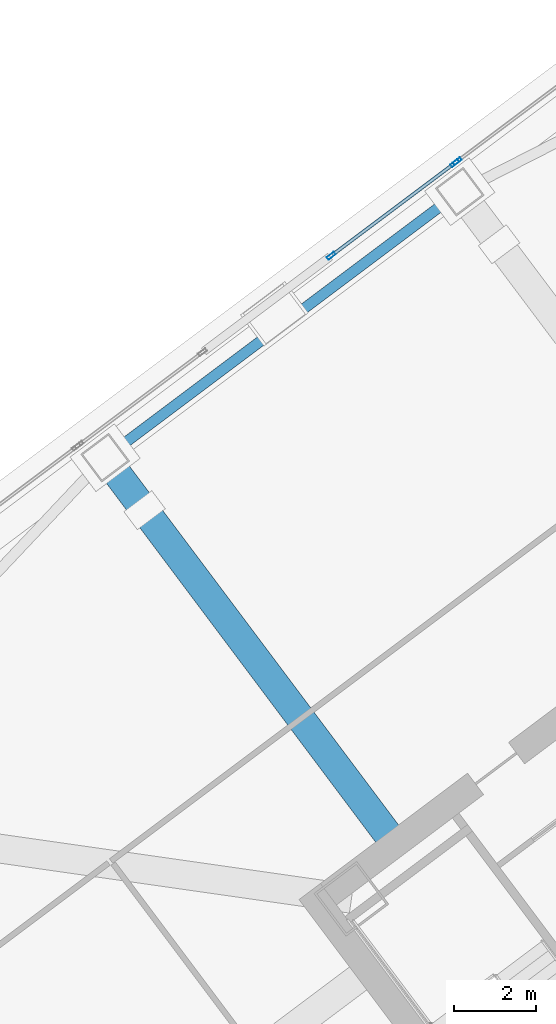
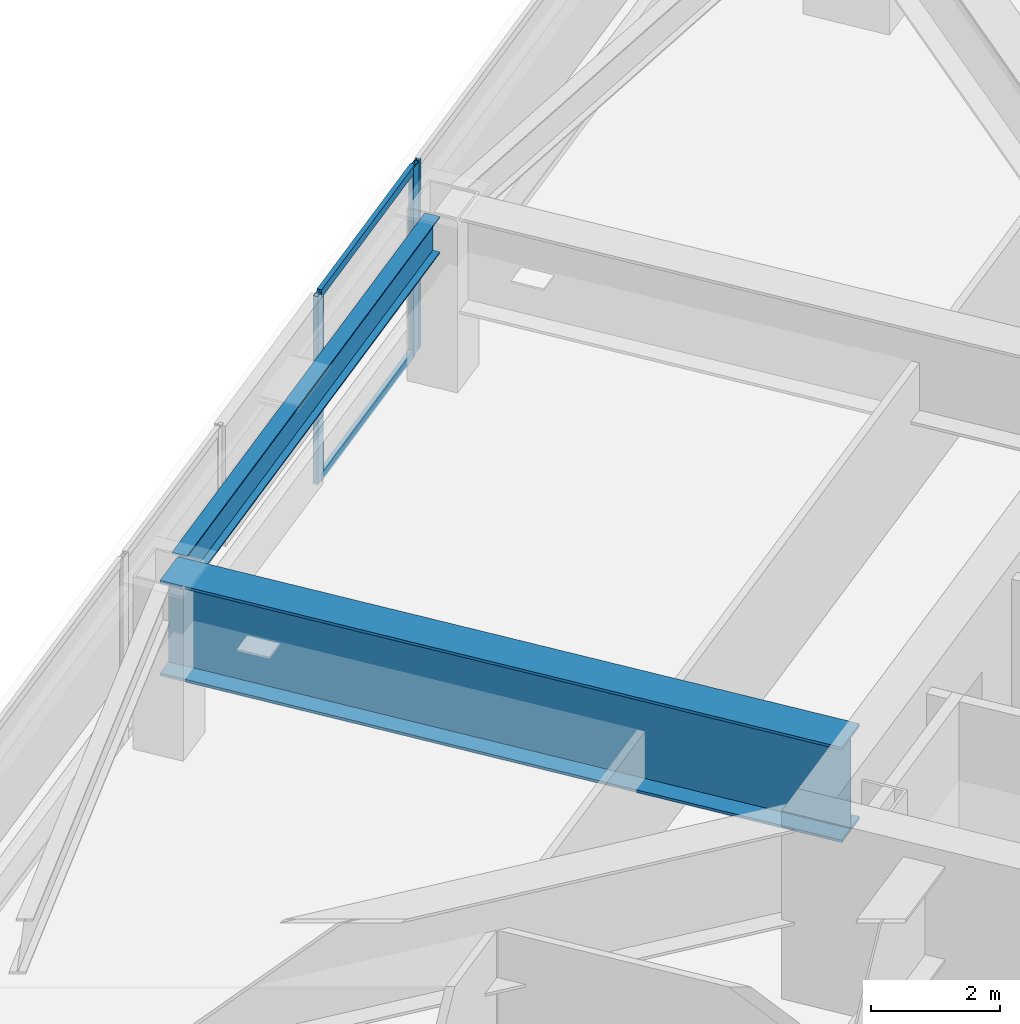
# One storey, part 30 of 49: 5 members, 2 beams, 2 elements without a shape of their own.
"""IFC4 building model written with IfcOpenShell, lengths in metres."""

from ifc_helpers import new_model, si_unit, direction, frame, origin, origin_2d, place, context, subcontext, project, spatial, hollow_rectangle, i_section, extrude, material, material_profile, profile_set, type_object, element, aggregate, save


model = new_model("IFC4")

# Units and contexts
model_context = context("Model", 3, precision=1e-05, world=origin(), true_north=direction((0.0, 1.0)))
body_context = subcontext(model_context, "Body", "Model", "MODEL_VIEW")
ifc_project = project(units=[si_unit("LENGTHUNIT", "METRE"), si_unit("AREAUNIT", "SQUARE_METRE"), si_unit("VOLUMEUNIT", "CUBIC_METRE"), si_unit("PLANEANGLEUNIT", "RADIAN"), si_unit("MASSUNIT", "GRAM", prefix="KILO")], contexts=[model_context])

# Site, building, storey
site_placement = place(None, origin())
site = spatial("IfcSite", under=ifc_project, at=site_placement, CompositionType="ELEMENT")
building_placement = place(site_placement, origin())
building = spatial("IfcBuilding", under=site, at=building_placement, Name="Tashvorn Skyway Center", CompositionType="ELEMENT")
storey_placement = place(building_placement, frame((0.0, 0.0, 106.25)))
storey = spatial("IfcBuildingStorey", under=building, at=storey_placement, Name="L28", CompositionType="ELEMENT", Elevation=106.25)

# Beams
ifc_material_1 = material(Name="Steel ASTM A572 Grade 50", Category="steel")
ifc_material_profile_1 = material_profile(ifc_material_1, i_section(OverallWidth=0.699951171875, OverallDepth=1.800048828125, WebThickness=0.031982421875, FlangeThickness=0.050048828125, at=origin_2d()), Name="PG1800x700")
ifc_profile_set_1 = profile_set([ifc_material_profile_1], Name="Steel ASTM A572 Grade 50")
beam_type_1 = type_object("IfcBeamType", Name="BM-BEAM-PG1800x700", PredefinedType="BEAM", material=ifc_profile_set_1)
beam_1_placement = place(storey_placement, frame((98.1298828125, 44.159912109375, 2.35009765625), z_axis=(0.600003405598, -0.79999744579, 0.0), x_axis=(0.79999744579, 0.600003405598, 0.0)))
element("IfcBeam", 1, at=beam_1_placement, inside=storey, type_object=beam_type_1, Name="Tower 2 L28 Setback Transfer Girder FC-N2", PredefinedType="BEAM", context=body_context, shape_type="SweptSolid", body=[
    extrude(i_section(OverallWidth=0.699951171875, OverallDepth=1.800048828125, WebThickness=0.031982421875, FlangeThickness=0.050048828125, at=origin_2d()), origin(), (0.0, 0.0, 1.0), 11.469970703125),
])
ifc_material_2 = material(Name="Steel ASTM A992 Grade 50", Category="steel")
ifc_material_profile_2 = material_profile(ifc_material_2, i_section(OverallWidth=0.256103515625, OverallDepth=0.693115234375, WebThickness=0.014404296875, FlangeThickness=0.023681640625, at=origin_2d()), Name="W27X114")
ifc_profile_set_2 = profile_set([ifc_material_profile_2], Name="Steel ASTM A992 Grade 50")
beam_type_2 = type_object("IfcBeamType", Name="BM-SPANDREL-W27X114", PredefinedType="SPANDREL", material=ifc_profile_set_2)
beam_2_placement = place(storey_placement, frame((106.43408203125, 50.387939453125, 2.903564453125), z_axis=(-0.800008824351, -0.599988234018, 0.0), x_axis=(0.599988234018, -0.800008824351, 0.0)))
element("IfcBeam", 2, at=beam_2_placement, inside=storey, type_object=beam_type_2, Name="Tower 2 L28 Spandrel Beam 08", PredefinedType="SPANDREL", context=body_context, shape_type="SweptSolid", body=[
    extrude(i_section(OverallWidth=0.256103515625, OverallDepth=0.693115234375, WebThickness=0.014404296875, FlangeThickness=0.023681640625, at=origin_2d()), origin(), (0.0, 0.0, 1.0), 9.9599609375),
])

# Curtain wall, members
ifc_material_3 = material(Name="Thermally broken bronze-anodized aluminium 6063-T6", Category="aluminium")
curtain_wall_type = type_object("IfcCurtainWallType", Name="CW-CW-Z2", PredefinedType="NOTDEFINED", material=ifc_material_3)
curtain_wall_1_placement = place(storey_placement, origin())
curtain_wall_1 = element("IfcCurtainWall", 3, at=curtain_wall_1_placement, inside=storey, type_object=curtain_wall_type, Name="Tower 2 L28 North Unitised Curtain Wall Glazing Group 3", PredefinedType="NOTDEFINED")
ifc_material_profile_3 = material_profile(ifc_material_3, hollow_rectangle(XDim=0.080078125, YDim=0.219970703125, WallThickness=0.0048828125, at=origin_2d()), Name="ALU-MULL-80x220")
ifc_profile_set_3 = profile_set([ifc_material_profile_3], Name="Thermally broken bronze-anodized aluminium 6063-T6")
member_type_1 = type_object("IfcMemberType", Name="CWM-CW-Z2", PredefinedType="MULLION", material=ifc_profile_set_3)
member_1_placement = place(storey_placement, frame((103.639892578125, 49.080078125, 0.0), z_axis=(0.0, 0.0, 1.0), x_axis=(-0.600000000002, 0.799999999998, 0.0)))
member_1 = element("IfcMember", 4, at=member_1_placement, type_object=member_type_1, Name="CW-Z2 mullion 1", PredefinedType="MULLION", context=body_context, shape_type="SweptSolid", body=[
    extrude(hollow_rectangle(XDim=0.080078125, YDim=0.219970703125, WallThickness=0.0048828125, at=origin_2d()), origin(), (0.0, 0.0, 1.0), 3.550048828125),
])
member_2_placement = place(storey_placement, frame((106.64794921875, 51.3359375, 0.0), z_axis=(0.0, 0.0, 1.0), x_axis=(-0.600000000002, 0.799999999998, 0.0)))
member_2 = element("IfcMember", 5, at=member_2_placement, type_object=member_type_1, Name="CW-Z2 mullion 2", PredefinedType="MULLION", context=body_context, shape_type="SweptSolid", body=[
    extrude(hollow_rectangle(XDim=0.080078125, YDim=0.219970703125, WallThickness=0.0048828125, at=origin_2d()), origin(), (0.0, 0.0, 1.0), 3.550048828125),
])

# Curtain wall, member
curtain_wall_2_placement = place(storey_placement, origin())
curtain_wall_2 = element("IfcCurtainWall", 6, at=curtain_wall_2_placement, inside=storey, type_object=curtain_wall_type, Name="Tower 2 L28 North Unitised Curtain Wall Glazing Group 4", PredefinedType="NOTDEFINED")
member_3_placement = place(storey_placement, frame((106.7119140625, 51.384033203125, 0.0), z_axis=(0.0, 0.0, 1.0), x_axis=(-0.600000000002, 0.799999999998, 0.0)))
member_3 = element("IfcMember", 7, at=member_3_placement, type_object=member_type_1, Name="CW-Z2 mullion 1", PredefinedType="MULLION", context=body_context, shape_type="SweptSolid", body=[
    extrude(hollow_rectangle(XDim=0.080078125, YDim=0.219970703125, WallThickness=0.0048828125, at=origin_2d()), origin(), (0.0, 0.0, 1.0), 3.550048828125),
])
aggregate(curtain_wall_2, [member_3])

# Member
ifc_material_profile_4 = material_profile(ifc_material_3, hollow_rectangle(XDim=0.080078125, YDim=0.14990234375, WallThickness=0.00439453125, at=origin_2d()), Name="ALU-TRAN-80x150")
ifc_profile_set_4 = profile_set([ifc_material_profile_4], Name="Thermally broken bronze-anodized aluminium 6063-T6")
member_type_2 = type_object("IfcMemberType", Name="CWT-CW-Z2", PredefinedType="USERDEFINED", material=ifc_profile_set_4)
member_4_placement = place(storey_placement, frame((103.672119140625, 49.10400390625, 0.0400390625), z_axis=(0.799984076997, 0.600021230084, 0.0), x_axis=(-0.600021230084, 0.799984076997, 0.0)))
member_4 = element("IfcMember", 8, at=member_4_placement, type_object=member_type_2, Name="CW-Z2 transom 1.1", ObjectType="TRANSOM", PredefinedType="USERDEFINED", context=body_context, shape_type="SweptSolid", body=[
    extrude(hollow_rectangle(XDim=0.080078125, YDim=0.14990234375, WallThickness=0.00439453125, at=origin_2d()), origin(), (0.0, 0.0, 1.0), 3.679931640625),
])

member_5_placement = place(storey_placement, frame((103.672119140625, 49.10400390625, 3.510009765625), z_axis=(0.799984076997, 0.600021230084, 0.0), x_axis=(-0.600021230084, 0.799984076997, 0.0)))
member_5 = element("IfcMember", 9, at=member_5_placement, type_object=member_type_2, Name="CW-Z2 transom 1.2", ObjectType="TRANSOM", PredefinedType="USERDEFINED", context=body_context, shape_type="SweptSolid", body=[
    extrude(hollow_rectangle(XDim=0.080078125, YDim=0.14990234375, WallThickness=0.00439453125, at=origin_2d()), origin(), (0.0, 0.0, 1.0), 3.679931640625),
])

aggregate(curtain_wall_1, [member_1, member_2, member_4, member_5])

save(model, "model.ifc")
